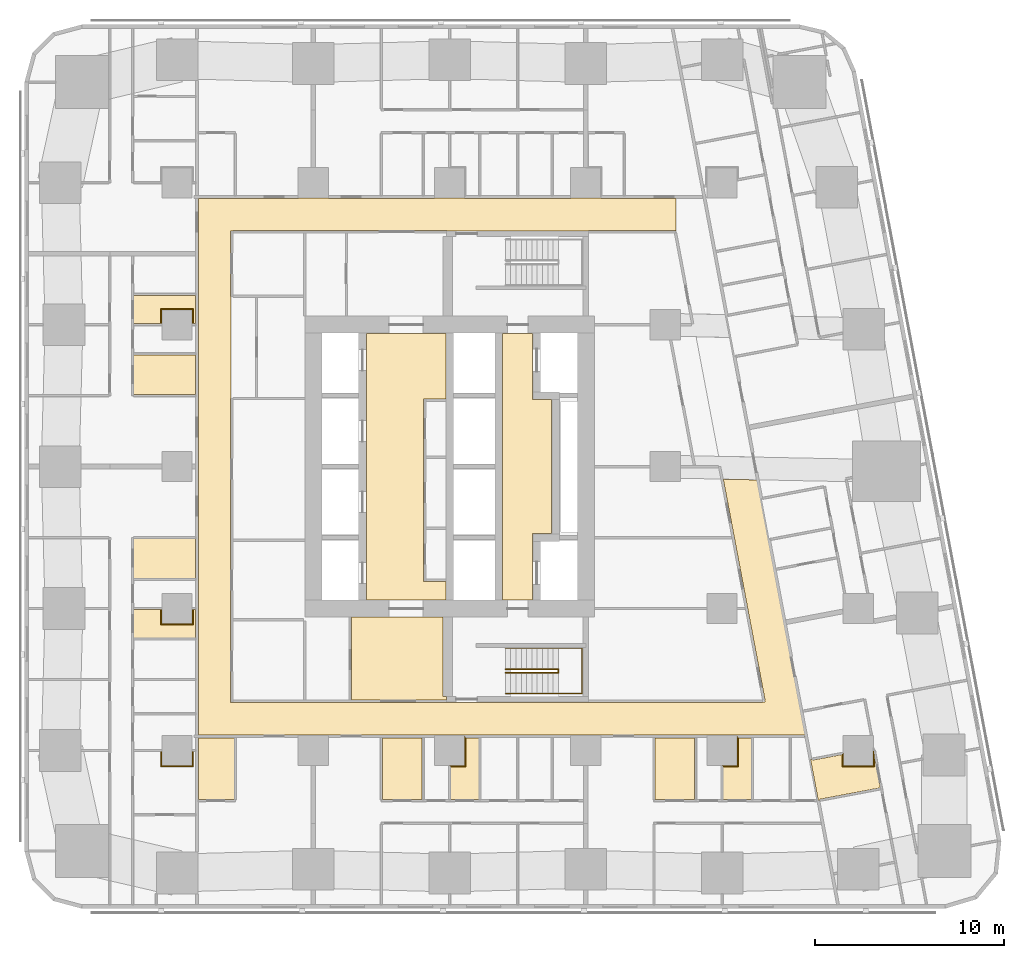
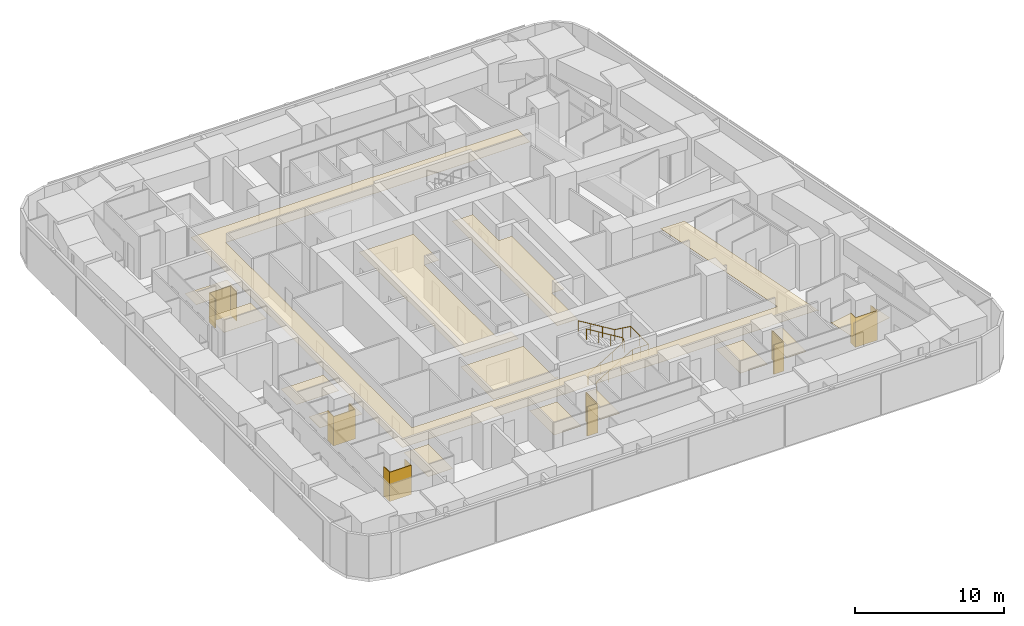
# One storey, part 13 of 15: 20 coverings, 2 railings.
"""IFC4 building model written with IfcOpenShell, lengths in metres."""

from ifc_helpers import new_model, si_unit, direction, frame, origin, origin_2d, place, context, subcontext, project, spatial, polyline, circle, outline, extrude, material, layer, layer_set, type_object, element, save


model = new_model("IFC4")

# Units and contexts
model_context = context("Model", 3, precision=1e-05, world=origin(), true_north=direction((0.0, 1.0)))
body_context = subcontext(model_context, "Body", "Model", "MODEL_VIEW")
ifc_project = project(units=[si_unit("LENGTHUNIT", "METRE"), si_unit("AREAUNIT", "SQUARE_METRE"), si_unit("VOLUMEUNIT", "CUBIC_METRE"), si_unit("PLANEANGLEUNIT", "RADIAN"), si_unit("MASSUNIT", "GRAM", prefix="KILO")], contexts=[model_context])

# Site, building, storey
site_placement = place(None, origin())
site = spatial("IfcSite", under=ifc_project, at=site_placement, CompositionType="ELEMENT")
building_placement = place(site_placement, origin())
building = spatial("IfcBuilding", under=site, at=building_placement, Name="Sheger Commons Tower", CompositionType="ELEMENT")
storey_placement = place(building_placement, frame((0.0, 0.0, 85.39990234375)))
storey = spatial("IfcBuildingStorey", under=building, at=storey_placement, Name="L21", CompositionType="ELEMENT", Elevation=85.39990234375)

# Railings
ifc_material_1 = material(Name="Steel handrail, black powder-coated", Category="steel")
railing_type = type_object("IfcRailingType", Name="HANDRAIL 900", PredefinedType="HANDRAIL", material=ifc_material_1)
railing_1_placement = place(storey_placement, frame((24.550048828125, 11.60009765625, 0.170654296875)))
element("IfcRailing", 1, at=railing_1_placement, inside=storey, type_object=railing_type, Name="Stair S1 handrail L21", PredefinedType="HANDRAIL", context=body_context, shape_type="SweptSolid", body=[
    extrude(circle(Radius=0.02392578125, at=origin_2d()), frame((0.0, 0.0, 0.8759765625), z_axis=(0.854202870247, 0.0, 0.519939858505), x_axis=(0.0, 1.0, 0.0)), (0.0, 0.0, 1.0), 3.278076171875),
    extrude(circle(Radius=0.02392578125, at=origin_2d()), frame((2.800048828125, 0.0, 2.580078125), z_axis=(0.0, 0.760631612298, 0.649183757016), x_axis=(-1.0, 0.0, 0.0)), (0.0, 0.0, 1.0), 0.262939453125),
    extrude(circle(Radius=0.02392578125, at=origin_2d()), frame((2.800048828125, 0.199951171875, 2.7509765625), z_axis=(-0.854202870247, 0.0, 0.519939858505), x_axis=(0.0, -1.0, 0.0)), (0.0, 0.0, 1.0), 3.278076171875),
    extrude(circle(Radius=0.02099609375, at=origin_2d()), origin(), (0.0, 0.0, 1.0), 0.851806640625),
    extrude(circle(Radius=0.02099609375, at=origin_2d()), frame((0.933349609375, 0.0, 0.568115234375)), (0.0, 0.0, 1.0), 0.851806640625),
    extrude(circle(Radius=0.02099609375, at=origin_2d()), frame((1.86669921875, 0.0, 1.13623046875)), (0.0, 0.0, 1.0), 0.851806640625),
    extrude(circle(Radius=0.02099609375, at=origin_2d()), frame((2.800048828125, 0.0, 1.704345703125)), (0.0, 0.0, 1.0), 0.851806640625),
    extrude(circle(Radius=0.02099609375, at=origin_2d()), frame((2.800048828125, 0.199951171875, 1.875)), (0.0, 0.0, 1.0), 0.851806640625),
    extrude(circle(Radius=0.02099609375, at=origin_2d()), frame((1.86669921875, 0.199951171875, 2.443115234375)), (0.0, 0.0, 1.0), 0.851806640625),
    extrude(circle(Radius=0.02099609375, at=origin_2d()), frame((0.933349609375, 0.199951171875, 3.01123046875)), (0.0, 0.0, 1.0), 0.851806640625),
    extrude(circle(Radius=0.02099609375, at=origin_2d()), frame((0.0, 0.199951171875, 3.579345703125)), (0.0, 0.0, 1.0), 0.851806640625),
])
railing_2_placement = place(storey_placement, frame((24.550048828125, 10.5, 0.170654296875)))
element("IfcRailing", 2, at=railing_2_placement, inside=storey, type_object=railing_type, Name="Stair S1 handrail L21", PredefinedType="HANDRAIL", context=body_context, shape_type="SweptSolid", body=[
    extrude(circle(Radius=0.02392578125, at=origin_2d()), frame((0.0, 0.0, 0.8759765625), z_axis=(0.854202870247, 0.0, 0.519939858505), x_axis=(0.0, 1.0, 0.0)), (0.0, 0.0, 1.0), 3.278076171875),
    extrude(circle(Radius=0.02392578125, at=origin_2d()), frame((2.800048828125, 0.0, 2.580078125), z_axis=(1.0, 0.0, 0.0), x_axis=(0.0, 1.0, 0.0)), (0.0, 0.0, 1.0), 1.25),
    extrude(circle(Radius=0.02392578125, at=origin_2d()), frame((4.050048828125, 0.0, 2.580078125), z_axis=(0.0, 1.0, 0.0), x_axis=(-1.0, 0.0, 0.0)), (0.0, 0.0, 1.0), 2.39990234375),
    extrude(circle(Radius=0.02392578125, at=origin_2d()), frame((4.050048828125, 2.39990234375, 2.580078125), z_axis=(-0.990808959222, 0.0, 0.135268645019), x_axis=(0.0, -1.0, 0.0)), (0.0, 0.0, 1.0), 1.261474609375),
    extrude(circle(Radius=0.02392578125, at=origin_2d()), frame((2.800048828125, 2.39990234375, 2.7509765625), z_axis=(-0.854202870247, 0.0, 0.519939858505), x_axis=(0.0, -1.0, 0.0)), (0.0, 0.0, 1.0), 3.278076171875),
    extrude(circle(Radius=0.02099609375, at=origin_2d()), origin(), (0.0, 0.0, 1.0), 0.851806640625),
    extrude(circle(Radius=0.02099609375, at=origin_2d()), frame((0.933349609375, 0.0, 0.568115234375)), (0.0, 0.0, 1.0), 0.851806640625),
    extrude(circle(Radius=0.02099609375, at=origin_2d()), frame((1.86669921875, 0.0, 1.13623046875)), (0.0, 0.0, 1.0), 0.851806640625),
    extrude(circle(Radius=0.02099609375, at=origin_2d()), frame((2.800048828125, 0.0, 1.704345703125)), (0.0, 0.0, 1.0), 0.851806640625),
    extrude(circle(Radius=0.02099609375, at=origin_2d()), frame((3.425048828125, 0.0, 1.704345703125)), (0.0, 0.0, 1.0), 0.851806640625),
    extrude(circle(Radius=0.02099609375, at=origin_2d()), frame((4.050048828125, 0.0, 1.704345703125)), (0.0, 0.0, 1.0), 0.851806640625),
    extrude(circle(Radius=0.02099609375, at=origin_2d()), frame((4.050048828125, 1.199951171875, 1.704345703125)), (0.0, 0.0, 1.0), 0.851806640625),
    extrude(circle(Radius=0.02099609375, at=origin_2d()), frame((4.050048828125, 2.39990234375, 1.704345703125)), (0.0, 0.0, 1.0), 0.851806640625),
    extrude(circle(Radius=0.02099609375, at=origin_2d()), frame((3.425048828125, 2.39990234375, 1.78955078125)), (0.0, 0.0, 1.0), 0.851806640625),
    extrude(circle(Radius=0.02099609375, at=origin_2d()), frame((2.800048828125, 2.39990234375, 1.875)), (0.0, 0.0, 1.0), 0.851806640625),
    extrude(circle(Radius=0.02099609375, at=origin_2d()), frame((1.86669921875, 2.39990234375, 2.443115234375)), (0.0, 0.0, 1.0), 0.851806640625),
    extrude(circle(Radius=0.02099609375, at=origin_2d()), frame((0.933349609375, 2.39990234375, 3.01123046875)), (0.0, 0.0, 1.0), 0.851806640625),
    extrude(circle(Radius=0.02099609375, at=origin_2d()), frame((0.0, 2.39990234375, 3.579345703125)), (0.0, 0.0, 1.0), 0.851806640625),
])

# Coverings
ifc_material_2 = material(Name="Moisture-resistant gypsum plasterboard 15 mm on a suspended galvanised steel grid", Category="steel")
ifc_layer_1 = layer(ifc_material_2, 0.014892578125)
ifc_layer_set_1 = layer_set([ifc_layer_1], Name="MOISTURE-RESISTANT CEILING 15")
covering_type_1 = type_object("IfcCoveringType", Name="MOISTURE-RESISTANT CEILING 15", PredefinedType="CEILING", material=ifc_layer_set_1)
covering_1_placement = place(storey_placement, frame((0.0, 0.0, 2.400146484375)))
element("IfcCovering", 3, at=covering_1_placement, inside=storey, type_object=covering_type_1, Name="L21-01.B1 ceiling", PredefinedType="CEILING", context=body_context, shape_type="SweptSolid", body=[
    extrude(outline(polyline([(4.905029296875, 16.594970703125), (8.169921875, 16.594970703125), (8.169921875, 18.695068359375), (4.905029296875, 18.695068359375), (4.905029296875, 16.594970703125)])), origin(), (0.0, 0.0, 1.0), 0.014892578125),
])
covering_2_placement = place(storey_placement, frame((0.0, 0.0, 2.400146484375)))
element("IfcCovering", 4, at=covering_2_placement, inside=storey, type_object=covering_type_1, Name="L21-01.B2 ceiling", PredefinedType="CEILING", context=body_context, shape_type="SweptSolid", body=[
    extrude(outline(polyline([(4.905029296875, 13.455078125), (8.169921875, 13.455078125), (8.169921875, 14.945068359375), (8.0048828125, 14.945068359375), (8.0048828125, 14.195068359375), (6.39501953125, 14.195068359375), (6.39501953125, 14.945068359375), (4.905029296875, 14.945068359375), (4.905029296875, 13.455078125)])), origin(), (0.0, 0.0, 1.0), 0.014892578125),
])
covering_3_placement = place(storey_placement, frame((0.0, 0.0, 2.400146484375)))
element("IfcCovering", 5, at=covering_3_placement, inside=storey, type_object=covering_type_1, Name="L21-02.B1 ceiling", PredefinedType="CEILING", context=body_context, shape_type="SweptSolid", body=[
    extrude(outline(polyline([(4.905029296875, 26.304931640625), (8.169921875, 26.304931640625), (8.169921875, 28.405029296875), (4.905029296875, 28.405029296875), (4.905029296875, 26.304931640625)])), origin(), (0.0, 0.0, 1.0), 0.014892578125),
])
covering_4_placement = place(storey_placement, frame((0.0, 0.0, 2.400146484375)))
element("IfcCovering", 6, at=covering_4_placement, inside=storey, type_object=covering_type_1, Name="L21-02.B2 ceiling", PredefinedType="CEILING", context=body_context, shape_type="SweptSolid", body=[
    extrude(outline(polyline([(4.905029296875, 30.054931640625), (6.39501953125, 30.054931640625), (6.39501953125, 30.804931640625), (8.0048828125, 30.804931640625), (8.0048828125, 30.054931640625), (8.169921875, 30.054931640625), (8.169921875, 31.544921875), (4.905029296875, 31.544921875), (4.905029296875, 30.054931640625)])), origin(), (0.0, 0.0, 1.0), 0.014892578125),
])
covering_5_placement = place(storey_placement, frame((0.0, 0.0, 2.400146484375)))
element("IfcCovering", 7, at=covering_5_placement, inside=storey, type_object=covering_type_1, Name="L21-04.B1 ceiling", PredefinedType="CEILING", context=body_context, shape_type="SweptSolid", body=[
    extrude(outline(polyline([(8.330078125, 4.905029296875), (10.22412109375, 4.905029296875), (10.22412109375, 8.169921875), (8.330078125, 8.169921875), (8.330078125, 4.905029296875)])), origin(), (0.0, 0.0, 1.0), 0.014892578125),
])
covering_6_placement = place(storey_placement, frame((0.0, 0.0, 2.400146484375)))
element("IfcCovering", 8, at=covering_6_placement, inside=storey, type_object=covering_type_1, Name="L21-05.B1 ceiling", PredefinedType="CEILING", context=body_context, shape_type="SweptSolid", body=[
    extrude(outline(polyline([(18.054931640625, 4.905029296875), (20.155029296875, 4.905029296875), (20.155029296875, 8.169921875), (18.054931640625, 8.169921875), (18.054931640625, 4.905029296875)])), origin(), (0.0, 0.0, 1.0), 0.014892578125),
])
covering_7_placement = place(storey_placement, frame((0.0, 0.0, 2.400146484375)))
element("IfcCovering", 9, at=covering_7_placement, inside=storey, type_object=covering_type_1, Name="L21-05.B2 ceiling", PredefinedType="CEILING", context=body_context, shape_type="SweptSolid", body=[
    extrude(outline(polyline([(21.655029296875, 4.905029296875), (23.14501953125, 4.905029296875), (23.14501953125, 8.169921875), (22.405029296875, 8.169921875), (22.405029296875, 6.695068359375), (21.655029296875, 6.695068359375), (21.655029296875, 4.905029296875)])), origin(), (0.0, 0.0, 1.0), 0.014892578125),
])
covering_8_placement = place(storey_placement, frame((0.0, 0.0, 2.400146484375)))
element("IfcCovering", 10, at=covering_8_placement, inside=storey, type_object=covering_type_1, Name="L21-06.B1 ceiling", PredefinedType="CEILING", context=body_context, shape_type="SweptSolid", body=[
    extrude(outline(polyline([(32.455078125, 4.905029296875), (34.554931640625, 4.905029296875), (34.554931640625, 8.169921875), (32.455078125, 8.169921875), (32.455078125, 4.905029296875)])), origin(), (0.0, 0.0, 1.0), 0.014892578125),
])
covering_9_placement = place(storey_placement, frame((0.0, 0.0, 2.400146484375)))
element("IfcCovering", 11, at=covering_9_placement, inside=storey, type_object=covering_type_1, Name="L21-06.B2 ceiling", PredefinedType="CEILING", context=body_context, shape_type="SweptSolid", body=[
    extrude(outline(polyline([(36.054931640625, 4.905029296875), (37.544921875, 4.905029296875), (37.544921875, 8.169921875), (36.804931640625, 8.169921875), (36.804931640625, 6.695068359375), (36.054931640625, 6.695068359375), (36.054931640625, 4.905029296875)])), origin(), (0.0, 0.0, 1.0), 0.014892578125),
])
covering_10_placement = place(storey_placement, frame((0.0, 0.0, 2.400146484375)))
element("IfcCovering", 12, at=covering_10_placement, inside=storey, type_object=covering_type_1, Name="L21-09.B1 ceiling", PredefinedType="CEILING", context=body_context, shape_type="SweptSolid", body=[
    extrude(outline(polyline([(41.087890625, 4.85205078125), (41.156005859375, 4.864990234375), (41.14599609375, 4.9189453125), (44.364013671875, 5.527099609375), (44.007080078125, 7.4150390625), (44.0048828125, 7.4150390625), (44.0048828125, 6.695068359375), (42.39501953125, 6.695068359375), (42.39501953125, 7.29296875), (40.756103515625, 6.98291015625), (40.74609375, 7.037109375), (40.677001953125, 7.02392578125), (41.087890625, 4.85205078125)])), origin(), (0.0, 0.0, 1.0), 0.014892578125),
])
ifc_material_3 = material(Name="Gypsum plasterboard 15 mm on a suspended steel grid", Category="steel")
ifc_layer_2 = layer(ifc_material_3, 0.014892578125)
ifc_layer_set_2 = layer_set([ifc_layer_2], Name="SUSPENDED CEILING 15")
covering_type_2 = type_object("IfcCoveringType", Name="SUSPENDED CEILING 15", PredefinedType="CEILING", material=ifc_layer_set_2)
covering_11_placement = place(storey_placement, frame((0.0, 0.0, 2.7001953125)))
element("IfcCovering", 13, at=covering_11_placement, inside=storey, type_object=covering_type_2, Name="L21-CO ceiling", PredefinedType="CEILING", context=body_context, shape_type="SweptSolid", body=[
    extrude(outline(polyline([(40.361083984375, 8.25), (40.446044921875, 8.25), (37.886962890625, 21.7958984375), (36.06591796875, 21.8330078125), (38.26904296875, 10.1708984375), (38.251953125, 10.1669921875), (38.27392578125, 10.050048828125), (38.14306640625, 10.050048828125), (38.14306640625, 10.031982421875), (28.945068359375, 10.031982421875), (28.945068359375, 10.044921875), (21.455078125, 10.044921875), (21.455078125, 10.031982421875), (10.157958984375, 10.031982421875), (10.157958984375, 10.044921875), (10.031982421875, 10.044921875), (10.031982421875, 26.10498046875), (10.050048828125, 26.10498046875), (10.050048828125, 31.4951171875), (10.031982421875, 31.4951171875), (10.031982421875, 34.955078125), (10.157958984375, 34.955078125), (10.157958984375, 34.968017578125), (21.455078125, 34.968017578125), (21.455078125, 34.949951171875), (28.945068359375, 34.949951171875), (28.945068359375, 34.968017578125), (33.54296875, 34.968017578125), (33.54296875, 34.949951171875), (33.568115234375, 34.949951171875), (33.568115234375, 36.669921875), (29.595947265625, 36.669921875), (29.595947265625, 36.695068359375), (28.00390625, 36.695068359375), (28.00390625, 36.669921875), (22.39599609375, 36.669921875), (22.39599609375, 36.695068359375), (20.803955078125, 36.695068359375), (20.803955078125, 36.669921875), (15.196044921875, 36.669921875), (15.196044921875, 36.695068359375), (13.60400390625, 36.695068359375), (13.60400390625, 36.669921875), (8.330078125, 36.669921875), (8.330078125, 8.330078125), (13.60400390625, 8.330078125), (13.60400390625, 8.304931640625), (15.196044921875, 8.304931640625), (15.196044921875, 8.330078125), (20.803955078125, 8.330078125), (20.803955078125, 8.304931640625), (22.39599609375, 8.304931640625), (22.39599609375, 8.330078125), (28.00390625, 8.330078125), (28.00390625, 8.304931640625), (29.595947265625, 8.304931640625), (29.595947265625, 8.330078125), (35.2041015625, 8.330078125), (35.2041015625, 8.304931640625), (36.7958984375, 8.304931640625), (36.7958984375, 8.330078125), (40.361083984375, 8.330078125), (40.361083984375, 8.25)])), origin(), (0.0, 0.0, 1.0), 0.014892578125),
])
covering_12_placement = place(storey_placement, frame((0.0, 0.0, 2.7001953125)))
element("IfcCovering", 14, at=covering_12_placement, inside=storey, type_object=covering_type_2, Name="L21-SVS1 ceiling", PredefinedType="CEILING", context=body_context, shape_type="SweptSolid", body=[
    extrude(outline(polyline([(16.406982421875, 10.16796875), (21.445068359375, 10.16796875), (21.445068359375, 10.344970703125), (21.2451171875, 10.344970703125), (21.2451171875, 14.544921875), (16.406982421875, 14.544921875), (16.406982421875, 10.16796875)])), origin(), (0.0, 0.0, 1.0), 0.014892578125),
])
covering_13_placement = place(storey_placement, frame((0.0, 0.0, 2.7001953125)))
element("IfcCovering", 15, at=covering_13_placement, inside=storey, type_object=covering_type_2, Name="L21-LL ceiling", PredefinedType="CEILING", context=body_context, shape_type="SweptSolid", body=[
    extrude(outline(polyline([(17.205078125, 15.455078125), (21.39990234375, 15.455078125), (21.39990234375, 16.43310546875), (20.35791015625, 16.43310546875), (20.23291015625, 16.43310546875), (20.23291015625, 26.06689453125), (20.35791015625, 26.06689453125), (21.39990234375, 26.06689453125), (21.39990234375, 29.544921875), (17.205078125, 29.544921875), (17.205078125, 15.455078125)])), origin(), (0.0, 0.0, 1.0), 0.014892578125),
])
covering_14_placement = place(storey_placement, frame((0.0, 0.0, 2.7001953125)))
element("IfcCovering", 16, at=covering_14_placement, inside=storey, type_object=covering_type_2, Name="L21-FL ceiling", PredefinedType="CEILING", context=body_context, shape_type="SweptSolid", body=[
    extrude(outline(polyline([(24.405029296875, 15.455078125), (25.9951171875, 15.455078125), (25.9951171875, 18.955078125), (26.9951171875, 18.955078125), (26.9951171875, 26.044921875), (25.9951171875, 26.044921875), (25.9951171875, 29.544921875), (24.405029296875, 29.544921875), (24.405029296875, 15.455078125)])), origin(), (0.0, 0.0, 1.0), 0.014892578125),
])
ifc_material_4 = material(Name="Moisture-resistant gypsum board 12.5 mm on 25 mm treated timber battens, tanked and tiled", Category="wood")
ifc_layer_3 = layer(ifc_material_4, 0.050048828125)
ifc_layer_set_3 = layer_set([ifc_layer_3], Name="WET-ROOM COLUMN LINING")
covering_type_3 = type_object("IfcCoveringType", Name="WET-ROOM COLUMN LINING", PredefinedType="CLADDING", material=ifc_layer_set_3)
covering_15_placement = place(storey_placement, origin())
element("IfcCovering", 17, at=covering_15_placement, inside=storey, type_object=covering_type_3, Name="Store and laundry column lining C9 L21", PredefinedType="CLADDING", context=body_context, shape_type="SweptSolid", body=[
    extrude(outline(polyline([(6.39990234375, 7.5), (6.39990234375, 6.699951171875), (8.0, 6.699951171875), (8.0, 7.5), (8.0009765625, 7.5), (8.0009765625, 7.449951171875), (8.050048828125, 7.449951171875), (8.050048828125, 6.64990234375), (6.35009765625, 6.64990234375), (6.35009765625, 7.449951171875), (6.39892578125, 7.449951171875), (6.39892578125, 7.5), (6.39990234375, 7.5)])), origin(), (0.0, 0.0, 1.0), 2.400146484375),
])
covering_16_placement = place(storey_placement, origin())
element("IfcCovering", 18, at=covering_16_placement, inside=storey, type_object=covering_type_3, Name="Shower room column lining C9 L21", PredefinedType="CLADDING", context=body_context, shape_type="SweptSolid", body=[
    extrude(outline(polyline([(21.64990234375, 6.64990234375), (21.64990234375, 6.698974609375), (21.60009765625, 6.698974609375), (21.60009765625, 6.699951171875), (22.39990234375, 6.699951171875), (22.39990234375, 8.25), (22.40087890625, 8.25), (22.40087890625, 8.175048828125), (22.449951171875, 8.175048828125), (22.449951171875, 6.64990234375), (21.64990234375, 6.64990234375)])), origin(), (0.0, 0.0, 1.0), 2.400146484375),
])
covering_17_placement = place(storey_placement, origin())
element("IfcCovering", 19, at=covering_17_placement, inside=storey, type_object=covering_type_3, Name="Shower room column lining C9 L21", PredefinedType="CLADDING", context=body_context, shape_type="SweptSolid", body=[
    extrude(outline(polyline([(36.050048828125, 6.64990234375), (36.050048828125, 6.698974609375), (36.0, 6.698974609375), (36.0, 6.699951171875), (36.800048828125, 6.699951171875), (36.800048828125, 8.25), (36.801025390625, 8.25), (36.801025390625, 8.175048828125), (36.85009765625, 8.175048828125), (36.85009765625, 6.64990234375), (36.050048828125, 6.64990234375)])), origin(), (0.0, 0.0, 1.0), 2.400146484375),
])
covering_18_placement = place(storey_placement, origin())
element("IfcCovering", 20, at=covering_18_placement, inside=storey, type_object=covering_type_3, Name="Bathroom column lining C9 L21", PredefinedType="CLADDING", context=body_context, shape_type="SweptSolid", body=[
    extrude(outline(polyline([(42.39990234375, 7.34912109375), (42.39990234375, 6.699951171875), (44.0, 6.699951171875), (44.0, 7.47998046875), (44.050048828125, 7.215087890625), (44.050048828125, 6.64990234375), (42.35009765625, 6.64990234375), (42.35009765625, 7.2900390625), (42.39892578125, 7.299072265625), (42.389892578125, 7.346923828125), (42.39990234375, 7.34912109375)])), origin(), (0.0, 0.0, 1.0), 2.400146484375),
])
covering_19_placement = place(storey_placement, origin())
element("IfcCovering", 21, at=covering_19_placement, inside=storey, type_object=covering_type_3, Name="Shower room column lining C9 L21", PredefinedType="CLADDING", context=body_context, shape_type="SweptSolid", body=[
    extrude(outline(polyline([(6.39990234375, 15.0), (6.39990234375, 14.199951171875), (8.0, 14.199951171875), (8.0, 15.0), (8.0009765625, 15.0), (8.0009765625, 14.949951171875), (8.050048828125, 14.949951171875), (8.050048828125, 14.14990234375), (6.35009765625, 14.14990234375), (6.35009765625, 14.949951171875), (6.39892578125, 14.949951171875), (6.39892578125, 15.0), (6.39990234375, 15.0)])), origin(), (0.0, 0.0, 1.0), 2.400146484375),
])
covering_20_placement = place(storey_placement, origin())
element("IfcCovering", 22, at=covering_20_placement, inside=storey, type_object=covering_type_3, Name="Shower room column lining C9 L21", PredefinedType="CLADDING", context=body_context, shape_type="SweptSolid", body=[
    extrude(outline(polyline([(8.050048828125, 30.85009765625), (8.050048828125, 30.050048828125), (8.0009765625, 30.050048828125), (8.0009765625, 30.0), (8.0, 30.0), (8.0, 30.800048828125), (6.39990234375, 30.800048828125), (6.39990234375, 30.0), (6.39892578125, 30.0), (6.39892578125, 30.050048828125), (6.35009765625, 30.050048828125), (6.35009765625, 30.85009765625), (8.050048828125, 30.85009765625)])), origin(), (0.0, 0.0, 1.0), 2.400146484375),
])

save(model, "model.ifc")
